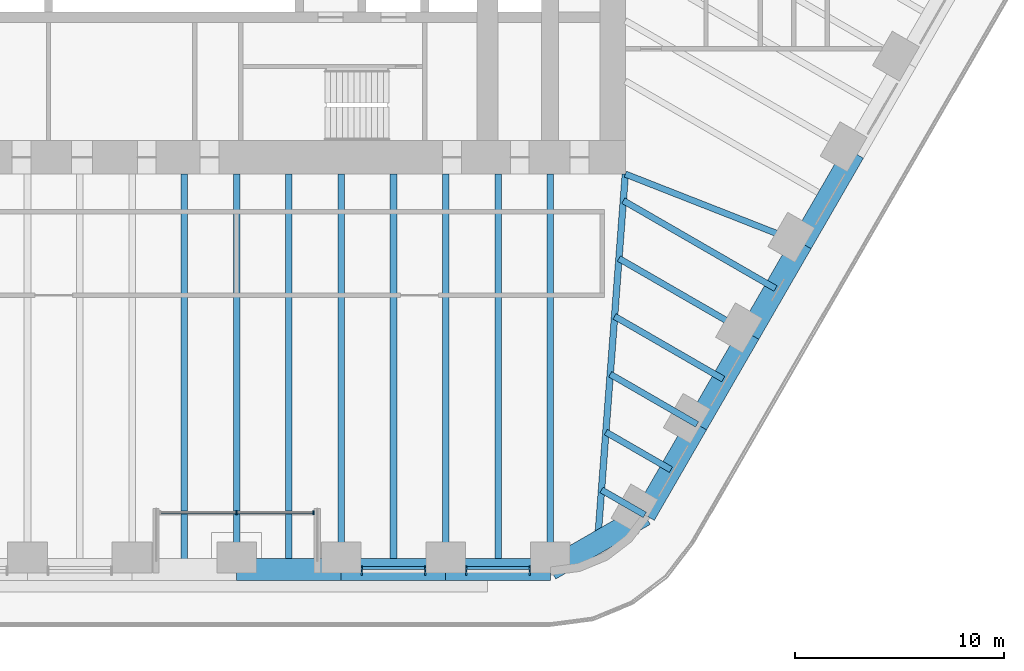
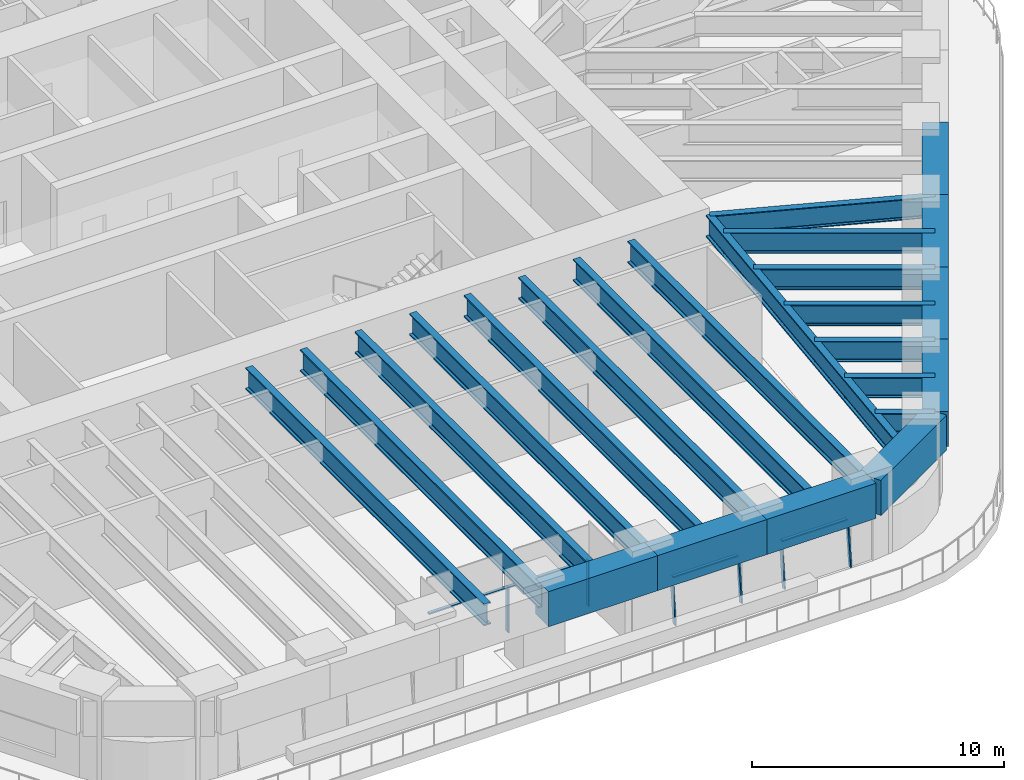
# One storey, part 4 of 19: 24 beams, 9 members, 3 elements without a shape of their own.
"""IFC4 building model written with IfcOpenShell, lengths in metres."""

from ifc_helpers import new_model, si_unit, direction, frame, origin, origin_2d, place, context, subcontext, project, spatial, rectangle, i_section, extrude, material, material_profile, profile_set, type_object, element, aggregate, save


model = new_model("IFC4")

# Units and contexts
model_context = context("Model", 3, precision=1e-05, world=origin(), true_north=direction((0.0, 1.0)))
body_context = subcontext(model_context, "Body", "Model", "MODEL_VIEW")
ifc_project = project(units=[si_unit("LENGTHUNIT", "METRE"), si_unit("AREAUNIT", "SQUARE_METRE"), si_unit("VOLUMEUNIT", "CUBIC_METRE"), si_unit("PLANEANGLEUNIT", "RADIAN"), si_unit("MASSUNIT", "GRAM", prefix="KILO")], contexts=[model_context])

# Site, building, storey
site_placement = place(None, origin())
site = spatial("IfcSite", under=ifc_project, at=site_placement, CompositionType="ELEMENT")
building_placement = place(site_placement, origin())
building = spatial("IfcBuilding", under=site, at=building_placement, Name="Tarfa Lantern Tower", CompositionType="ELEMENT")
storey_placement = place(building_placement, frame((0.0, 0.0, 199.300048828125)))
storey = spatial("IfcBuildingStorey", under=building, at=storey_placement, Name="L45", CompositionType="ELEMENT", Elevation=199.300048828125)

# Curtain wall, members
ifc_material_1 = material(Name="Aluminium framed curtain wall", Category="aluminium")
curtain_wall_type_1 = type_object("IfcCurtainWallType", Name="CW2 CANTED GLAZING MID ZONE 2200", PredefinedType="USERDEFINED", material=ifc_material_1)
curtain_wall_1_placement = place(storey_placement, origin())
curtain_wall_1 = element("IfcCurtainWall", 1, at=curtain_wall_1_placement, inside=storey, type_object=curtain_wall_type_1, Name="CW2 SB L45", ObjectType="CURTAIN WALL", PredefinedType="USERDEFINED")
ifc_material_2 = material(Name="Aluminium mullion", Category="aluminium")
ifc_material_profile_1 = material_profile(ifc_material_2, rectangle(XDim=0.06494140625, YDim=0.199951171875, at=origin_2d()), Name="AL MULLION 65x200")
ifc_profile_set_1 = profile_set([ifc_material_profile_1], Name="Aluminium mullion")
member_type_1 = type_object("IfcMemberType", Name="CWM1 MULLION 65x200", PredefinedType="MULLION", material=ifc_profile_set_1)
member_1_placement = place(storey_placement, frame((5.986083984375, -31.39990234375, 0.0), z_axis=(0.0, 0.112912162136, 0.99360497364), x_axis=(-1.0, 0.0, 0.0)))
member_1 = element("IfcMember", 2, at=member_1_placement, type_object=member_type_1, Name="CW2 mullion 1", PredefinedType="MULLION", context=body_context, shape_type="SweptSolid", body=[
    extrude(rectangle(XDim=0.06494140625, YDim=0.199951171875, at=origin_2d()), origin(), (0.0, 0.0, 1.0), 2.214111328125),
])
member_2_placement = place(storey_placement, frame((9.02490234375, -31.39990234375, 0.0), z_axis=(0.0, 0.112912162136, 0.99360497364), x_axis=(-1.0, 0.0, 0.0)))
member_2 = element("IfcMember", 3, at=member_2_placement, type_object=member_type_1, Name="CW2 mullion 2", PredefinedType="MULLION", context=body_context, shape_type="SweptSolid", body=[
    extrude(rectangle(XDim=0.06494140625, YDim=0.199951171875, at=origin_2d()), origin(), (0.0, 0.0, 1.0), 2.214111328125),
])

curtain_wall_2_placement = place(storey_placement, origin())
curtain_wall_2 = element("IfcCurtainWall", 4, at=curtain_wall_2_placement, inside=storey, type_object=curtain_wall_type_1, Name="CW2 SB L45", ObjectType="CURTAIN WALL", PredefinedType="USERDEFINED")
member_3_placement = place(storey_placement, frame((10.989990234375, -31.39990234375, 0.0), z_axis=(0.0, 0.112912162136, 0.99360497364), x_axis=(-1.0, 0.0, 0.0)))
member_3 = element("IfcMember", 5, at=member_3_placement, type_object=member_type_1, Name="CW2 mullion 1", PredefinedType="MULLION", context=body_context, shape_type="SweptSolid", body=[
    extrude(rectangle(XDim=0.06494140625, YDim=0.199951171875, at=origin_2d()), origin(), (0.0, 0.0, 1.0), 2.214111328125),
])
member_4_placement = place(storey_placement, frame((14.028564453125, -31.39990234375, 0.0), z_axis=(0.0, 0.112912162136, 0.99360497364), x_axis=(-1.0, 0.0, 0.0)))
member_4 = element("IfcMember", 6, at=member_4_placement, type_object=member_type_1, Name="CW2 mullion 2", PredefinedType="MULLION", context=body_context, shape_type="SweptSolid", body=[
    extrude(rectangle(XDim=0.06494140625, YDim=0.199951171875, at=origin_2d()), origin(), (0.0, 0.0, 1.0), 2.214111328125),
])

curtain_wall_type_2 = type_object("IfcCurtainWallType", Name="CW10 LOGGIA GLAZING 2200", PredefinedType="USERDEFINED", material=ifc_material_1)
curtain_wall_3_placement = place(storey_placement, origin())
curtain_wall_3 = element("IfcCurtainWall", 7, at=curtain_wall_3_placement, inside=storey, type_object=curtain_wall_type_2, Name="CW10 SL L45", ObjectType="CURTAIN WALL", PredefinedType="USERDEFINED")
member_5_placement = place(storey_placement, frame((0.0, -28.5, 0.0), z_axis=(0.0, 0.0, 1.0), x_axis=(1.0, 0.0, 0.0)))
member_5 = element("IfcMember", 8, at=member_5_placement, type_object=member_type_1, Name="CW10 mullion 2", PredefinedType="MULLION", context=body_context, shape_type="SweptSolid", body=[
    extrude(rectangle(XDim=0.06494140625, YDim=0.199951171875, at=origin_2d()), origin(), (0.0, 0.0, 1.0), 2.199951171875),
])
member_6_placement = place(storey_placement, frame((3.671142578125, -28.5, 0.0), z_axis=(0.0, 0.0, 1.0), x_axis=(1.0, 0.0, 0.0)))
member_6 = element("IfcMember", 9, at=member_6_placement, type_object=member_type_1, Name="CW10 mullion 3", PredefinedType="MULLION", context=body_context, shape_type="SweptSolid", body=[
    extrude(rectangle(XDim=0.06494140625, YDim=0.199951171875, at=origin_2d()), origin(), (0.0, 0.0, 1.0), 2.199951171875),
])

# Member
ifc_material_3 = material(Name="Aluminium transom", Category="aluminium")
ifc_material_profile_2 = material_profile(ifc_material_3, rectangle(XDim=0.14990234375, YDim=0.06494140625, at=origin_2d()), Name="AL TRANSOM 150x65")
ifc_profile_set_2 = profile_set([ifc_material_profile_2], Name="Aluminium transom")
member_type_2 = type_object("IfcMemberType", Name="CWT1 TRANSOM 150x65", PredefinedType="USERDEFINED", material=ifc_profile_set_2)
member_7_placement = place(storey_placement, frame((6.018798828125, -31.15380859375, 2.16748046875), z_axis=(1.0, 0.0, 0.0), x_axis=(0.0, 1.0, 0.0)))
member_7 = element("IfcMember", 10, at=member_7_placement, type_object=member_type_2, Name="CW2 transom 1.2", ObjectType="TRANSOM", PredefinedType="USERDEFINED", context=body_context, shape_type="SweptSolid", body=[
    extrude(rectangle(XDim=0.14990234375, YDim=0.06494140625, at=origin_2d()), origin(), (0.0, 0.0, 1.0), 2.9736328125),
])

aggregate(curtain_wall_1, [member_1, member_2, member_7])

member_8_placement = place(storey_placement, frame((11.0224609375, -31.15380859375, 2.16748046875), z_axis=(1.0, 0.0, 0.0), x_axis=(0.0, 1.0, 0.0)))
member_8 = element("IfcMember", 11, at=member_8_placement, type_object=member_type_2, Name="CW2 transom 1.2", ObjectType="TRANSOM", PredefinedType="USERDEFINED", context=body_context, shape_type="SweptSolid", body=[
    extrude(rectangle(XDim=0.14990234375, YDim=0.06494140625, at=origin_2d()), origin(), (0.0, 0.0, 1.0), 2.9736328125),
])

aggregate(curtain_wall_2, [member_3, member_4, member_8])

member_9_placement = place(storey_placement, frame((-3.638671875, -28.5, 2.16748046875), z_axis=(1.0, 0.0, 0.0), x_axis=(0.0, 1.0, 0.0)))
member_9 = element("IfcMember", 12, at=member_9_placement, type_object=member_type_2, Name="CW10 transom 1.2", ObjectType="TRANSOM", PredefinedType="USERDEFINED", context=body_context, shape_type="SweptSolid", body=[
    extrude(rectangle(XDim=0.14990234375, YDim=0.06494140625, at=origin_2d()), origin(), (0.0, 0.0, 1.0), 7.27734375),
])

aggregate(curtain_wall_3, [member_5, member_6, member_9])

# Beams
ifc_material_4 = material(Name="Concrete C80/95", Category="concrete")
ifc_material_profile_3 = material_profile(ifc_material_4, rectangle(XDim=1.050048828125, YDim=1.699951171875, at=origin_2d()), Name="RC 1050x1700")
ifc_profile_set_3 = profile_set([ifc_material_profile_3], Name="Concrete C80/95")
beam_type_1 = type_object("IfcBeamType", Name="RB2 RC 1050x1700", PredefinedType="BEAM", material=ifc_profile_set_3)
for number, where, z_axis, x_axis, name in (
    (13, (0.0, -31.219970703125, 3.050048828125), (1.0, 0.0, 0.0), (0.0, 1.0, 0.0), "Edge beam S3"),
    (14, (5.003662109375, -31.219970703125, 3.050048828125), (1.0, 0.0, 0.0), (0.0, 1.0, 0.0), "Edge beam S4"),
    (15, (10.00732421875, -31.219970703125, 3.050048828125), (1.0, 0.0, 0.0), (0.0, 1.0, 0.0), "Edge beam S5"),
):
    element("IfcBeam", number, at=place(storey_placement, frame(where, z_axis=z_axis, x_axis=x_axis)), inside=storey, type_object=beam_type_1, Name=name, PredefinedType="BEAM", context=body_context, shape_type="SweptSolid", body=[
        extrude(rectangle(XDim=1.050048828125, YDim=1.699951171875, at=origin_2d()), origin(), (0.0, 0.0, 1.0), 5.003662109375),
    ])
beam_1_placement = place(storey_placement, frame((15.010986328125, -31.219970703125, 3.050048828125), z_axis=(0.86604150238, 0.499972115377, 0.0), x_axis=(-0.499972115377, 0.86604150238, 0.0)))
element("IfcBeam", 16, at=beam_1_placement, inside=storey, type_object=beam_type_1, Name="Edge beam S6", PredefinedType="BEAM", context=body_context, shape_type="SweptSolid", body=[
    extrude(rectangle(XDim=1.050048828125, YDim=1.699951171875, at=origin_2d()), origin(), (0.0, 0.0, 1.0), 5.219970703125),
])
beam_2_placement = place(storey_placement, frame((19.53173828125, -28.610107421875, 3.050048828125), z_axis=(0.500001197378, 0.866024712477, 0.0), x_axis=(-0.866024712477, 0.500001197378, 0.0)))
element("IfcBeam", 17, at=beam_2_placement, inside=storey, type_object=beam_type_1, Name="Edge beam SE0", PredefinedType="BEAM", context=body_context, shape_type="SweptSolid", body=[
    extrude(rectangle(XDim=1.050048828125, YDim=1.699951171875, at=origin_2d()), origin(), (0.0, 0.0, 1.0), 5.00390625),
])
for number, where, z_axis, x_axis, name in (
    (18, (22.03369140625, -24.276611328125, 3.050048828125), (0.49998573051, 0.866033642122, 0.0), (-0.866033642122, 0.49998573051, 0.0), "Edge beam SE1"),
    (19, (24.535400390625, -19.943359375, 3.050048828125), (0.500022324899, 0.866012514114, 0.0), (-0.866012514114, 0.500022324899, 0.0), "Edge beam SE2"),
    (20, (27.037353515625, -15.610107421875, 3.050048828125), (0.499964603504, 0.866045838996, 0.0), (-0.866045838996, 0.499964603504, 0.0), "Edge beam SE3"),
):
    element("IfcBeam", number, at=place(storey_placement, frame(where, z_axis=z_axis, x_axis=x_axis)), inside=storey, type_object=beam_type_1, Name=name, PredefinedType="BEAM", context=body_context, shape_type="SweptSolid", body=[
        extrude(rectangle(XDim=1.050048828125, YDim=1.699951171875, at=origin_2d()), origin(), (0.0, 0.0, 1.0), 5.003662109375),
    ])
ifc_material_5 = material(Name="Steel S460M", Category="steel")
ifc_material_profile_4 = material_profile(ifc_material_5, i_section(OverallWidth=0.302001953125, OverallDepth=1.008056640625, WebThickness=0.02099609375, FlangeThickness=0.0400390625, FilletRadius=0.030029296875, at=origin_2d()), Name="UB1016x305x349")
ifc_profile_set_4 = profile_set([ifc_material_profile_4], Name="Steel S460M")
beam_type_2 = type_object("IfcBeamType", Name="UB1016x305x349", PredefinedType="BEAM", material=ifc_profile_set_4)
beam_3_placement = place(storey_placement, frame((19.53173828125, -28.610107421875, 3.39599609375), z_axis=(-0.865998640954, 0.500046351717, 0.0), x_axis=(-0.500046351717, -0.865998640954, 0.0)))
element("IfcBeam", 21, at=beam_3_placement, inside=storey, type_object=beam_type_2, Name="Floor beam SE0", PredefinedType="BEAM", context=body_context, shape_type="SweptSolid", body=[
    extrude(i_section(OverallWidth=0.302001953125, OverallDepth=1.008056640625, WebThickness=0.02099609375, FlangeThickness=0.0400390625, FilletRadius=0.030029296875, at=origin_2d()), origin(), (0.0, 0.0, 1.0), 2.392333984375),
])
beam_4_placement = place(storey_placement, frame((22.03369140625, -24.276611328125, 3.39599609375), z_axis=(-0.866030550462, 0.499991085587, 0.0), x_axis=(-0.499991085587, -0.866030550462, 0.0)))
element("IfcBeam", 22, at=beam_4_placement, inside=storey, type_object=beam_type_2, Name="Floor beam SE1", PredefinedType="BEAM", context=body_context, shape_type="SweptSolid", body=[
    extrude(i_section(OverallWidth=0.302001953125, OverallDepth=1.008056640625, WebThickness=0.02099609375, FlangeThickness=0.0400390625, FilletRadius=0.030029296875, at=origin_2d()), origin(), (0.0, 0.0, 1.0), 4.798828125),
])
beam_5_placement = place(storey_placement, frame((24.535400390625, -19.943359375, 3.39599609375), z_axis=(-0.86602647304, 0.499998147991, 0.0), x_axis=(-0.499998147991, -0.86602647304, 0.0)))
element("IfcBeam", 23, at=beam_5_placement, inside=storey, type_object=beam_type_2, Name="Floor beam SE2", PredefinedType="BEAM", context=body_context, shape_type="SweptSolid", body=[
    extrude(i_section(OverallWidth=0.302001953125, OverallDepth=1.008056640625, WebThickness=0.02099609375, FlangeThickness=0.0400390625, FilletRadius=0.030029296875, at=origin_2d()), origin(), (0.0, 0.0, 1.0), 7.20556640625),
])
beam_6_placement = place(storey_placement, frame((27.037353515625, -15.610107421875, 3.39599609375), z_axis=(-0.930923282782, 0.365214788274, 0.0), x_axis=(-0.365214788274, -0.930923282782, 0.0)))
element("IfcBeam", 24, at=beam_6_placement, inside=storey, type_object=beam_type_2, Name="Floor beam SE3", PredefinedType="BEAM", context=body_context, shape_type="SweptSolid", body=[
    extrude(i_section(OverallWidth=0.302001953125, OverallDepth=1.008056640625, WebThickness=0.02099609375, FlangeThickness=0.0400390625, FilletRadius=0.030029296875, at=origin_2d()), origin(), (0.0, 0.0, 1.0), 9.063232421875),
])
beam_7_placement = place(storey_placement, frame((20.78271484375, -26.443359375, 3.39599609375), z_axis=(-0.866011447264, 0.500024172624, 0.0), x_axis=(-0.500024172624, -0.866011447264, 0.0)))
element("IfcBeam", 25, at=beam_7_placement, inside=storey, type_object=beam_type_2, Name="Floor beam SE0M", PredefinedType="BEAM", context=body_context, shape_type="SweptSolid", body=[
    extrude(i_section(OverallWidth=0.302001953125, OverallDepth=1.008056640625, WebThickness=0.02099609375, FlangeThickness=0.0400390625, FilletRadius=0.030029296875, at=origin_2d()), origin(), (0.0, 0.0, 1.0), 3.595458984375),
])
beam_8_placement = place(storey_placement, frame((23.284423828125, -22.110107421875, 3.39599609375), z_axis=(-0.866014212035, 0.500019384178, 0.0), x_axis=(-0.500019384178, -0.866014212035, 0.0)))
element("IfcBeam", 26, at=beam_8_placement, inside=storey, type_object=beam_type_2, Name="Floor beam SE1M", PredefinedType="BEAM", context=body_context, shape_type="SweptSolid", body=[
    extrude(i_section(OverallWidth=0.302001953125, OverallDepth=1.008056640625, WebThickness=0.02099609375, FlangeThickness=0.0400390625, FilletRadius=0.030029296875, at=origin_2d()), origin(), (0.0, 0.0, 1.0), 6.002197265625),
])
beam_9_placement = place(storey_placement, frame((25.786376953125, -17.776611328125, 3.39599609375), z_axis=(-0.86602796634, 0.499995561497, 0.0), x_axis=(-0.499995561497, -0.86602796634, 0.0)))
element("IfcBeam", 27, at=beam_9_placement, inside=storey, type_object=beam_type_2, Name="Floor beam SE2M", PredefinedType="BEAM", context=body_context, shape_type="SweptSolid", body=[
    extrude(i_section(OverallWidth=0.302001953125, OverallDepth=1.008056640625, WebThickness=0.02099609375, FlangeThickness=0.0400390625, FilletRadius=0.030029296875, at=origin_2d()), origin(), (0.0, 0.0, 1.0), 8.40869140625),
])
ifc_material_profile_5 = material_profile(ifc_material_5, i_section(OverallWidth=0.314208984375, OverallDepth=1.055908203125, WebThickness=0.035888671875, FlangeThickness=0.06396484375, FilletRadius=0.030029296875, at=origin_2d()), Name="UB1016x305x584")
ifc_profile_set_5 = profile_set([ifc_material_profile_5], Name="Steel S460M")
beam_type_3 = type_object("IfcBeamType", Name="UB1016x305x584", PredefinedType="BEAM", material=ifc_profile_set_5)
beam_10_placement = place(storey_placement, frame((18.60009765625, -12.300048828125, 3.3720703125), z_axis=(-0.075211516041, -0.99716760269, 0.0), x_axis=(0.99716760269, -0.075211516041, 0.0)))
element("IfcBeam", 28, at=beam_10_placement, inside=storey, type_object=beam_type_3, Name="Hip girder SE", PredefinedType="BEAM", context=body_context, shape_type="SweptSolid", body=[
    extrude(i_section(OverallWidth=0.314208984375, OverallDepth=1.055908203125, WebThickness=0.035888671875, FlangeThickness=0.06396484375, FilletRadius=0.030029296875, at=origin_2d()), origin(), (0.0, 0.0, 1.0), 17.6650390625),
])
for number, where, z_axis, x_axis, name in (
    (29, (0.0, -31.219970703125, 3.3720703125), (0.0, 1.0, 0.0), (-1.0, 0.0, 0.0), "Floor beam S3"),
    (30, (5.003662109375, -31.219970703125, 3.3720703125), (0.0, 1.0, 0.0), (-1.0, 0.0, 0.0), "Floor beam S4"),
    (31, (10.00732421875, -31.219970703125, 3.3720703125), (0.0, 1.0, 0.0), (-1.0, 0.0, 0.0), "Floor beam S5"),
    (32, (15.010986328125, -31.219970703125, 3.3720703125), (0.0, 1.0, 0.0), (-1.0, 0.0, 0.0), "Floor beam S6"),
    (33, (-2.501953125, -31.219970703125, 3.3720703125), (0.0, 1.0, 0.0), (-1.0, 0.0, 0.0), "Floor beam S2M"),
    (34, (2.501953125, -31.219970703125, 3.3720703125), (0.0, 1.0, 0.0), (-1.0, 0.0, 0.0), "Floor beam S3M"),
    (35, (7.505615234375, -31.219970703125, 3.3720703125), (0.0, 1.0, 0.0), (-1.0, 0.0, 0.0), "Floor beam S4M"),
    (36, (12.50927734375, -31.219970703125, 3.3720703125), (0.0, 1.0, 0.0), (-1.0, 0.0, 0.0), "Floor beam S5M"),
):
    element("IfcBeam", number, at=place(storey_placement, frame(where, z_axis=z_axis, x_axis=x_axis)), inside=storey, type_object=beam_type_3, Name=name, PredefinedType="BEAM", context=body_context, shape_type="SweptSolid", body=[
        extrude(i_section(OverallWidth=0.314208984375, OverallDepth=1.055908203125, WebThickness=0.035888671875, FlangeThickness=0.06396484375, FilletRadius=0.030029296875, at=origin_2d()), origin(), (0.0, 0.0, 1.0), 18.919921875),
    ])

save(model, "model.ifc")
